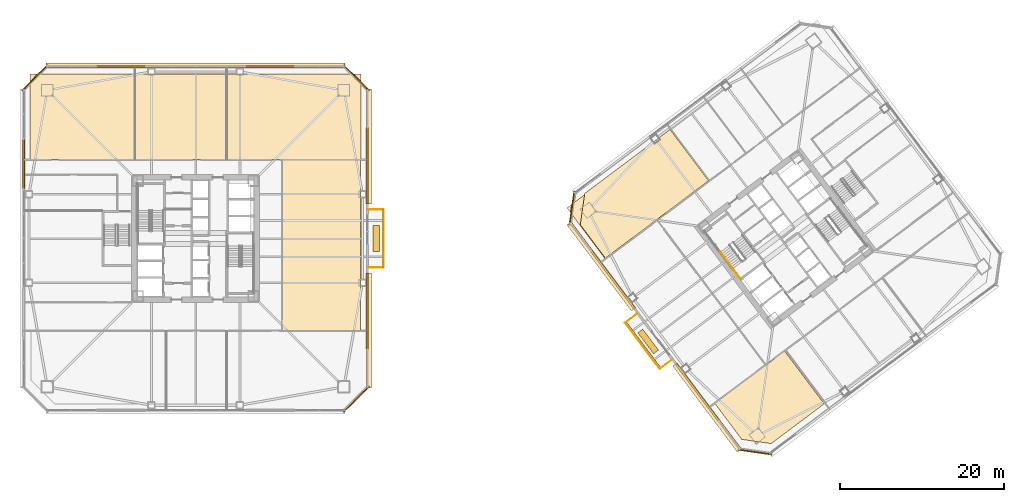
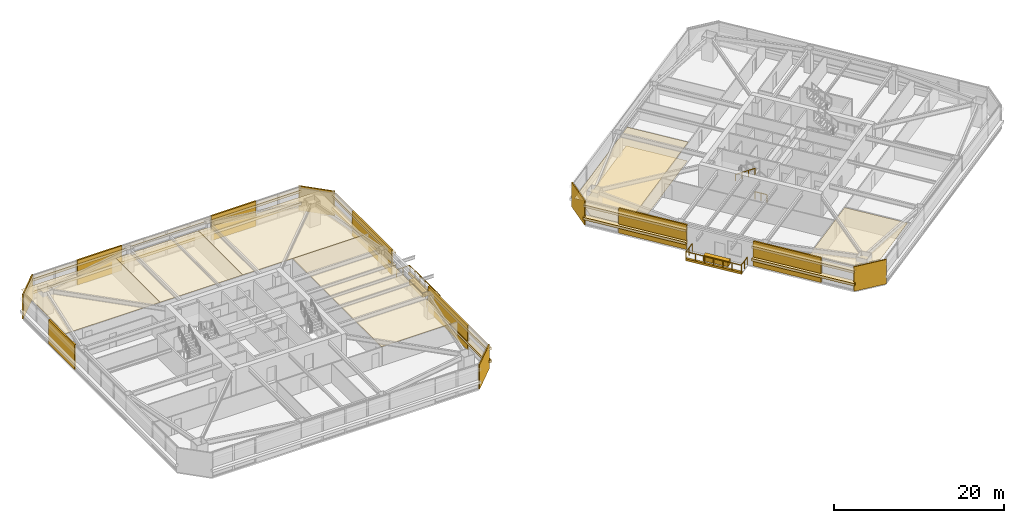
# One storey, part 40 of 44: 33 coverings, 8 railings.
"""IFC4 building model written with IfcOpenShell, lengths in metres."""

from ifc_helpers import new_model, si_unit, direction, frame, origin, origin_2d, place, context, subcontext, project, spatial, polyline, rectangle, outline, extrude, material, layer, layer_set, type_object, element, save


model = new_model("IFC4")

# Units and contexts
model_context = context("Model", 3, precision=1e-05, world=origin(), true_north=direction((0.0, 1.0)))
body_context = subcontext(model_context, "Body", "Model", "MODEL_VIEW")
ifc_project = project(units=[si_unit("LENGTHUNIT", "METRE"), si_unit("AREAUNIT", "SQUARE_METRE"), si_unit("VOLUMEUNIT", "CUBIC_METRE"), si_unit("PLANEANGLEUNIT", "RADIAN"), si_unit("MASSUNIT", "GRAM", prefix="KILO")], contexts=[model_context])

# Site, building, storey
site_placement = place(None, origin())
site = spatial("IfcSite", under=ifc_project, at=site_placement, CompositionType="ELEMENT")
building_placement = place(site_placement, origin())
building = spatial("IfcBuilding", under=site, at=building_placement, Name="Tashvorn Skyway Center", CompositionType="ELEMENT")
storey_placement = place(building_placement, frame((0.0, 0.0, 84.949951171875)))
storey = spatial("IfcBuildingStorey", under=building, at=storey_placement, Name="L22", CompositionType="ELEMENT", Elevation=84.949951171875)

# Coverings
ifc_material_1 = material(Name="Precast concrete C40/50", Category="concrete")
ifc_layer_1 = layer(ifc_material_1, 0.199951171875)
ifc_layer_set_1 = layer_set([ifc_layer_1], Name="Precast concrete C40/50")
covering_type_1 = type_object("IfcCoveringType", Name="COV-BRACE-CLAD", PredefinedType="CLADDING", material=ifc_layer_set_1)
for number, where, z_axis, x_axis, name in (
    (1, (21.02001953125, 41.090087890625, 0.0), (0.0, 0.0, 1.0), (0.0, 1.0, 0.0), "Tower 1 L22 West Unitised Curtain Wall Mega-Brace Cladding Band 2"),
    (2, (32.909912109375, 52.97998046875, 0.0), (0.0, 0.0, 1.0), (1.0, 0.0, 0.0), "Tower 1 L22 North Unitised Curtain Wall Mega-Brace Cladding Band 1"),
    (3, (51.090087890625, 52.97998046875, 0.0), (0.0, 0.0, 1.0), (1.0, 0.0, 0.0), "Tower 1 L22 North Unitised Curtain Wall Mega-Brace Cladding Band 2"),
):
    element("IfcCovering", number, at=place(storey_placement, frame(where, z_axis=z_axis, x_axis=x_axis)), inside=storey, type_object=covering_type_1, Name=name, PredefinedType="CLADDING", context=body_context, shape_type="SweptSolid", body=[
        extrude(rectangle(XDim=6.06005859375, YDim=0.199951171875, at=origin_2d()), origin(), (0.0, 0.0, 1.0), 3.550048828125),
    ])
for number, where, z_axis, x_axis, name in (
    (4, (62.97998046875, 40.893310546875, 0.0), (0.0, 0.0, 1.0), (0.0, -1.0, 0.0), "Tower 1 L22 East Curtain Wall L Mega-Brace Cladding Band 1"),
    (5, (62.97998046875, 23.106689453125, 0.0), (0.0, 0.0, 1.0), (0.0, -1.0, 0.0), "Tower 1 L22 East Curtain Wall R Mega-Brace Cladding Band 1"),
):
    element("IfcCovering", number, at=place(storey_placement, frame(where, z_axis=z_axis, x_axis=x_axis)), inside=storey, type_object=covering_type_1, Name=name, PredefinedType="CLADDING", context=body_context, shape_type="SweptSolid", body=[
        extrude(rectangle(XDim=9.28662109375, YDim=0.199951171875, at=origin_2d()), origin(), (0.0, 0.0, 1.0), 3.550048828125),
    ])
for number, where, z_axis, x_axis, name in (
    (6, (103.251953125, 13.197265625, 0.0), (0.0, 0.0, 1.0), (-0.600000004945, 0.799999996291, 0.0), "Tower 2 L22 West Curtain Wall L Mega-Brace Cladding Band 1"),
    (7, (92.93994140625, 26.946533203125, 0.0), (0.0, 0.0, 1.0), (-0.600000004945, 0.799999996291, 0.0), "Tower 2 L22 West Curtain Wall R Mega-Brace Cladding Band 1"),
):
    element("IfcCovering", number, at=place(storey_placement, frame(where, z_axis=z_axis, x_axis=x_axis)), inside=storey, type_object=covering_type_1, Name=name, PredefinedType="CLADDING", context=body_context, shape_type="SweptSolid", body=[
        extrude(rectangle(XDim=8.6865234375, YDim=0.199951171875, at=origin_2d()), origin(), (0.0, 0.0, 1.0), 3.550048828125),
    ])
ifc_material_2 = material(Name="Mineral-fibre acoustic ceiling tile on suspended grid")
ifc_layer_2 = layer(ifc_material_2, 0.02001953125)
ifc_layer_set_2 = layer_set([ifc_layer_2], Name="Mineral-fibre acoustic ceiling tile on suspended grid")
covering_type_2 = type_object("IfcCoveringType", Name="COV-CEIL-20", PredefinedType="CEILING", material=ifc_layer_set_2)
covering_1_placement = place(storey_placement, frame((0.0, 0.0, 2.68310546875)))
element("IfcCovering", 8, at=covering_1_placement, inside=storey, type_object=covering_type_2, Name="Tower 1 L22 Open Plan Office Acoustic Ceiling", PredefinedType="CEILING", context=body_context, shape_type="SweptSolid", body=[
    extrude(outline(polyline([(21.800048828125, 41.6201171875), (34.60009765625, 41.6201171875), (34.60009765625, 52.10009765625), (21.800048828125, 52.10009765625), (21.800048828125, 41.6201171875)])), origin(), (0.0, 0.0, 1.0), 0.02001953125),
])
covering_2_placement = place(storey_placement, frame((0.0, 0.0, 2.68310546875)))
element("IfcCovering", 9, at=covering_2_placement, inside=storey, type_object=covering_type_2, Name="Tower 1 L22 Open Plan Office Acoustic Ceiling", PredefinedType="CEILING", context=body_context, shape_type="SweptSolid", body=[
    extrude(outline(polyline([(34.60009765625, 41.6201171875), (45.800048828125, 41.6201171875), (45.800048828125, 52.10009765625), (34.60009765625, 52.10009765625), (34.60009765625, 41.6201171875)])), origin(), (0.0, 0.0, 1.0), 0.02001953125),
])
covering_3_placement = place(storey_placement, frame((0.0, 0.0, 2.68310546875)))
element("IfcCovering", 10, at=covering_3_placement, inside=storey, type_object=covering_type_2, Name="Tower 1 L22 Design Studio Acoustic Ceiling", PredefinedType="CEILING", context=body_context, shape_type="SweptSolid", body=[
    extrude(outline(polyline([(45.800048828125, 41.6201171875), (62.199951171875, 41.6201171875), (62.199951171875, 52.10009765625), (45.800048828125, 52.10009765625), (45.800048828125, 41.6201171875)])), origin(), (0.0, 0.0, 1.0), 0.02001953125),
])
covering_4_placement = place(storey_placement, frame((0.0, 0.0, 2.68310546875)))
element("IfcCovering", 11, at=covering_4_placement, inside=storey, type_object=covering_type_2, Name="Tower 1 L22 Executive Study Lounge Acoustic Ceiling", PredefinedType="CEILING", context=body_context, shape_type="SweptSolid", body=[
    extrude(outline(polyline([(52.550048828125, 20.75), (62.10009765625, 20.75), (62.10009765625, 41.6201171875), (52.550048828125, 41.6201171875), (52.550048828125, 20.75)])), origin(), (0.0, 0.0, 1.0), 0.02001953125),
])
covering_5_placement = place(storey_placement, frame((0.0, 0.0, 2.68310546875)))
element("IfcCovering", 12, at=covering_5_placement, inside=storey, type_object=covering_type_2, Name="Tower 2 L22 Research Library Acoustic Ceiling", PredefinedType="CEILING", context=body_context, shape_type="SweptSolid", body=[
    extrude(outline(polyline([(92.0, 29.5), (104.719970703125, 39.0400390625), (100.0400390625, 45.280029296875), (87.320068359375, 35.739990234375), (92.0, 29.5)])), origin(), (0.0, 0.0, 1.0), 0.02001953125),
])
covering_6_placement = place(storey_placement, frame((0.0, 0.0, 2.68310546875)))
element("IfcCovering", 13, at=covering_6_placement, inside=storey, type_object=covering_type_2, Name="Tower 2 L22 Research Library Acoustic Ceiling", PredefinedType="CEILING", context=body_context, shape_type="SweptSolid", body=[
    extrude(outline(polyline([(105.3798828125, 11.860107421875), (113.907958984375, 18.256103515625), (118.73193359375, 11.823974609375), (112.251953125, 6.964111328125), (108.66796875, 7.47607421875), (105.3798828125, 11.860107421875)])), origin(), (0.0, 0.0, 1.0), 0.02001953125),
])
ifc_material_3 = material(Name="Polished Mojave desert-aggregate terrazzo and cover plate")
ifc_layer_3 = layer(ifc_material_3, 0.0400390625)
ifc_layer_set_3 = layer_set([ifc_layer_3], Name="Polished Mojave desert-aggregate terrazzo and cover plate")
covering_type_3 = type_object("IfcCoveringType", Name="COV-FLR-40", PredefinedType="FLOORING", material=ifc_layer_set_3)
covering_7_placement = place(storey_placement, origin())
element("IfcCovering", 14, at=covering_7_placement, inside=storey, type_object=covering_type_3, Name="Tower 2 L22 Research Library Finish Flooring", PredefinedType="FLOORING", context=body_context, shape_type="SweptSolid", body=[
    extrude(outline(polyline([(104.60791015625, 39.055908203125), (92.01611328125, 29.612060546875), (88.9560546875, 33.69189453125), (89.5, 37.5), (99.916015625, 45.31201171875), (104.60791015625, 39.055908203125)])), origin(), (0.0, 0.0, 1.0), 0.0400390625),
])
ifc_material_4 = material(Name="Perforated ceramic-coated bronze aluminium solar screen", Category="aluminium")
ifc_layer_4 = layer(ifc_material_4, 0.85009765625)
ifc_layer_set_4 = layer_set([ifc_layer_4], Name="Perforated ceramic-coated bronze aluminium solar screen")
covering_type_4 = type_object("IfcCoveringType", Name="COV-SOLAR-BAND", PredefinedType="CLADDING", material=ifc_layer_set_4)
for number, where, z_axis, x_axis, name in (
    (15, (42.0, 53.1201171875, 0.919921875), (0.0, 0.0, 1.0), (1.0, 0.0, 0.0), "L22 Perforated Ceramic-Metal Solar Screen Louvre Band North 1"),
    (16, (42.0, 53.1201171875, 2.72021484375), (0.0, 0.0, 1.0), (1.0, 0.0, 0.0), "L22 Perforated Ceramic-Metal Solar Screen Louvre Band North 2"),
):
    element("IfcCovering", number, at=place(storey_placement, frame(where, z_axis=z_axis, x_axis=x_axis)), inside=storey, type_object=covering_type_4, Name=name, PredefinedType="CLADDING", context=body_context, shape_type="SweptSolid", body=[
        extrude(rectangle(XDim=36.47998046875, YDim=0.639892578125, at=origin_2d()), origin(), (0.0, 0.0, 1.0), 0.360107421875),
    ])
for number, where, z_axis, x_axis, name in (
    (17, (63.1201171875, 43.215087890625, 0.919921875), (0.0, 0.0, 1.0), (0.0, -1.0, 0.0), "L22 Perforated Ceramic-Metal Solar Screen Louvre Band East 1"),
    (18, (63.1201171875, 43.215087890625, 2.72021484375), (0.0, 0.0, 1.0), (0.0, -1.0, 0.0), "L22 Perforated Ceramic-Metal Solar Screen Louvre Band East 2"),
    (19, (63.1201171875, 20.784912109375, 0.919921875), (0.0, 0.0, 1.0), (0.0, -1.0, 0.0), "L22 Perforated Ceramic-Metal Solar Screen Louvre Band East 1"),
    (20, (63.1201171875, 20.784912109375, 2.72021484375), (0.0, 0.0, 1.0), (0.0, -1.0, 0.0), "L22 Perforated Ceramic-Metal Solar Screen Louvre Band East 2"),
):
    element("IfcCovering", number, at=place(storey_placement, frame(where, z_axis=z_axis, x_axis=x_axis)), inside=storey, type_object=covering_type_4, Name=name, PredefinedType="CLADDING", context=body_context, shape_type="SweptSolid", body=[
        extrude(rectangle(XDim=14.050048828125, YDim=0.639892578125, at=origin_2d()), origin(), (0.0, 0.0, 1.0), 0.360107421875),
    ])
for number, where, z_axis, x_axis, name in (
    (21, (104.443115234375, 11.3759765625, 0.919921875), (0.0, 0.0, 1.0), (-0.600000004945, 0.799999996291, 0.0), "L22 Perforated Ceramic-Metal Solar Screen Louvre Band West 1"),
    (22, (104.443115234375, 11.3759765625, 2.72021484375), (0.0, 0.0, 1.0), (-0.600000004945, 0.799999996291, 0.0), "L22 Perforated Ceramic-Metal Solar Screen Louvre Band West 2"),
    (23, (91.52490234375, 28.60009765625, 0.919921875), (0.0, 0.0, 1.0), (-0.600000004945, 0.799999996291, 0.0), "L22 Perforated Ceramic-Metal Solar Screen Louvre Band West 1"),
    (24, (91.52490234375, 28.60009765625, 2.72021484375), (0.0, 0.0, 1.0), (-0.600000004945, 0.799999996291, 0.0), "L22 Perforated Ceramic-Metal Solar Screen Louvre Band West 2"),
):
    element("IfcCovering", number, at=place(storey_placement, frame(where, z_axis=z_axis, x_axis=x_axis)), inside=storey, type_object=covering_type_4, Name=name, PredefinedType="CLADDING", context=body_context, shape_type="SweptSolid", body=[
        extrude(rectangle(XDim=13.14990234375, YDim=0.639892578125, at=origin_2d()), origin(), (0.0, 0.0, 1.0), 0.360107421875),
    ])
ifc_layer_5 = layer(ifc_material_1, 0.35009765625)
ifc_layer_set_5 = layer_set([ifc_layer_5], Name="Precast concrete C40/50")
covering_type_5 = type_object("IfcCoveringType", Name="COV-STONE-TRIM", PredefinedType="CLADDING", material=ifc_layer_set_5)
covering_8_placement = place(storey_placement, frame((64.860107421875, 32.0, -0.16015625), z_axis=(0.0, 0.0, 1.0), x_axis=(0.0, -1.0, 0.0)))
element("IfcCovering", 25, at=covering_8_placement, inside=storey, type_object=covering_type_5, Name="Tower 1 L22 Spiral Terrace Terracotta Fascia", PredefinedType="CLADDING", context=body_context, shape_type="SweptSolid", body=[
    extrude(rectangle(XDim=7.199951171875, YDim=0.280029296875, at=origin_2d()), origin(), (0.0, 0.0, 1.0), 0.280029296875),
])
covering_9_placement = place(storey_placement, frame((64.050048828125, 32.0, 0.0), z_axis=(0.0, 0.0, 1.0), x_axis=(0.0, -1.0, 0.0)))
element("IfcCovering", 26, at=covering_9_placement, inside=storey, type_object=covering_type_5, Name="Tower 1 L22 Spiral Terrace Planter", PredefinedType="CLADDING", context=body_context, shape_type="SweptSolid", body=[
    extrude(rectangle(XDim=3.199951171875, YDim=0.75, at=origin_2d()), origin(), (0.0, 0.0, 1.0), 0.679931640625),
])
for number, where, z_axis, x_axis, name in (
    (27, (22.3798828125, 51.6201171875, 0.02001953125), (0.0, 0.0, 1.0), (-0.707106781187, -0.707106781187, 0.0), "Tower 1 L22 NW Mojave Limestone Corner Quoin"),
    (28, (61.6201171875, 51.6201171875, 0.02001953125), (0.0, 0.0, 1.0), (0.707106781187, -0.707106781187, 0.0), "Tower 1 L22 NE Mojave Limestone Corner Quoin"),
    (29, (61.6201171875, 12.3798828125, 0.02001953125), (0.0, 0.0, 1.0), (0.707106781187, 0.707106781187, 0.0), "Tower 1 L22 SE Mojave Limestone Corner Quoin"),
):
    element("IfcCovering", number, at=place(storey_placement, frame(where, z_axis=z_axis, x_axis=x_axis)), inside=storey, type_object=covering_type_5, Name=name, PredefinedType="CLADDING", context=body_context, shape_type="SweptSolid", body=[
        extrude(rectangle(XDim=4.402587890625, YDim=0.139892578125, at=origin_2d()), origin(), (0.0, 0.0, 1.0), 3.510009765625),
    ])
covering_10_placement = place(storey_placement, frame((96.592041015625, 18.944091796875, -0.16015625), z_axis=(0.0, 0.0, 1.0), x_axis=(-0.600000004945, 0.799999996291, 0.0)))
element("IfcCovering", 30, at=covering_10_placement, inside=storey, type_object=covering_type_5, Name="Tower 2 L22 Spiral Terrace Terracotta Fascia", PredefinedType="CLADDING", context=body_context, shape_type="SweptSolid", body=[
    extrude(rectangle(XDim=7.199951171875, YDim=0.280029296875, at=origin_2d()), origin(), (0.0, 0.0, 1.0), 0.280029296875),
])
covering_11_placement = place(storey_placement, frame((97.239990234375, 19.429931640625, 0.0), z_axis=(0.0, 0.0, 1.0), x_axis=(-0.600000004945, 0.799999996291, 0.0)))
element("IfcCovering", 31, at=covering_11_placement, inside=storey, type_object=covering_type_5, Name="Tower 2 L22 Spiral Terrace Planter", PredefinedType="CLADDING", context=body_context, shape_type="SweptSolid", body=[
    extrude(rectangle(XDim=3.199951171875, YDim=0.75, at=origin_2d()), origin(), (0.0, 0.0, 1.0), 0.679931640625),
])
for number, where, z_axis, x_axis, name in (
    (32, (110.27587890625, 5.931884765625, 0.02001953125), (0.0, 0.0, 1.0), (-0.989949494535, 0.141421350118, 0.0), "Tower 2 L22 SW Mojave Limestone Corner Quoin"),
    (33, (87.931884765625, 35.72412109375, 0.02001953125), (0.0, 0.0, 1.0), (-0.141421350118, -0.989949494535, 0.0), "Tower 2 L22 NW Mojave Limestone Corner Quoin"),
):
    element("IfcCovering", number, at=place(storey_placement, frame(where, z_axis=z_axis, x_axis=x_axis)), inside=storey, type_object=covering_type_5, Name=name, PredefinedType="CLADDING", context=body_context, shape_type="SweptSolid", body=[
        extrude(rectangle(XDim=4.119873046875, YDim=0.139892578125, at=origin_2d()), origin(), (0.0, 0.0, 1.0), 3.510009765625),
    ])

# Railings
ifc_material_5 = material(Name="Galvanized steel S355", Category="steel")
railing_type_1 = type_object("IfcRailingType", Name="RAIL-GUARD-1120", PredefinedType="GUARDRAIL", material=ifc_material_5)
railing_1_placement = place(storey_placement, frame((63.10009765625, 28.47998046875, 0.0)))
element("IfcRailing", 34, at=railing_1_placement, inside=storey, type_object=railing_type_1, Name="L22 Tower 1 Terrace Guardrail 01", PredefinedType="GUARDRAIL", context=body_context, shape_type="SweptSolid", body=[
    extrude(rectangle(XDim=0.048095703125, YDim=0.048095703125, at=origin_2d()), frame((0.0, 0.0, 1.09619140625), z_axis=(1.0, 0.0, 0.0), x_axis=(0.0, 1.0, 0.0)), (0.0, 0.0, 1.0), 1.81982421875),
    extrude(rectangle(XDim=0.0419921875, YDim=0.0419921875, at=origin_2d()), origin(), (0.0, 0.0, 1.0), 1.072021484375),
    extrude(rectangle(XDim=0.0419921875, YDim=0.0419921875, at=origin_2d()), frame((0.909912109375, 0.0, 0.0)), (0.0, 0.0, 1.0), 1.072021484375),
    extrude(rectangle(XDim=0.0419921875, YDim=0.0419921875, at=origin_2d()), frame((1.81982421875, 0.0, 0.0)), (0.0, 0.0, 1.0), 1.072021484375),
])
railing_2_placement = place(storey_placement, frame((64.919921875, 28.47998046875, 0.0)))
element("IfcRailing", 35, at=railing_2_placement, inside=storey, type_object=railing_type_1, Name="L22 Tower 1 Terrace Guardrail 02", PredefinedType="GUARDRAIL", context=body_context, shape_type="SweptSolid", body=[
    extrude(rectangle(XDim=0.048095703125, YDim=0.048095703125, at=origin_2d()), frame((0.0, 0.0, 1.09619140625), z_axis=(0.0, 1.0, 0.0), x_axis=(-1.0, 0.0, 0.0)), (0.0, 0.0, 1.0), 7.0400390625),
    extrude(rectangle(XDim=0.0419921875, YDim=0.0419921875, at=origin_2d()), origin(), (0.0, 0.0, 1.0), 1.072021484375),
    extrude(rectangle(XDim=0.0419921875, YDim=0.0419921875, at=origin_2d()), frame((0.0, 1.17333984375, 0.0)), (0.0, 0.0, 1.0), 1.072021484375),
    extrude(rectangle(XDim=0.0419921875, YDim=0.0419921875, at=origin_2d()), frame((0.0, 2.3466796875, 0.0)), (0.0, 0.0, 1.0), 1.072021484375),
    extrude(rectangle(XDim=0.0419921875, YDim=0.0419921875, at=origin_2d()), frame((0.0, 3.52001953125, 0.0)), (0.0, 0.0, 1.0), 1.072021484375),
    extrude(rectangle(XDim=0.0419921875, YDim=0.0419921875, at=origin_2d()), frame((0.0, 4.693359375, 0.0)), (0.0, 0.0, 1.0), 1.072021484375),
    extrude(rectangle(XDim=0.0419921875, YDim=0.0419921875, at=origin_2d()), frame((0.0, 5.86669921875, 0.0)), (0.0, 0.0, 1.0), 1.072021484375),
    extrude(rectangle(XDim=0.0419921875, YDim=0.0419921875, at=origin_2d()), frame((0.0, 7.0400390625, 0.0)), (0.0, 0.0, 1.0), 1.072021484375),
])
railing_3_placement = place(storey_placement, frame((64.919921875, 35.52001953125, 0.0)))
element("IfcRailing", 36, at=railing_3_placement, inside=storey, type_object=railing_type_1, Name="L22 Tower 1 Terrace Guardrail 03", PredefinedType="GUARDRAIL", context=body_context, shape_type="SweptSolid", body=[
    extrude(rectangle(XDim=0.048095703125, YDim=0.048095703125, at=origin_2d()), frame((0.0, 0.0, 1.09619140625), z_axis=(-1.0, 0.0, 0.0), x_axis=(0.0, -1.0, 0.0)), (0.0, 0.0, 1.0), 1.81982421875),
    extrude(rectangle(XDim=0.0419921875, YDim=0.0419921875, at=origin_2d()), origin(), (0.0, 0.0, 1.0), 1.072021484375),
    extrude(rectangle(XDim=0.0419921875, YDim=0.0419921875, at=origin_2d()), frame((-0.909912109375, 0.0, 0.0)), (0.0, 0.0, 1.0), 1.072021484375),
    extrude(rectangle(XDim=0.0419921875, YDim=0.0419921875, at=origin_2d()), frame((-1.81982421875, 0.0, 0.0)), (0.0, 0.0, 1.0), 1.072021484375),
])
railing_4_placement = place(storey_placement, frame((100.112060546875, 17.18408203125, 0.0)))
element("IfcRailing", 37, at=railing_4_placement, inside=storey, type_object=railing_type_1, Name="L22 Tower 2 Terrace Guardrail 01", PredefinedType="GUARDRAIL", context=body_context, shape_type="SweptSolid", body=[
    extrude(rectangle(XDim=0.048095703125, YDim=0.048095703125, at=origin_2d()), frame((0.0, 0.0, 1.09619140625), z_axis=(-0.8, -0.6, 0.0), x_axis=(0.6, -0.8, 0.0)), (0.0, 0.0, 1.0), 1.820068359375),
    extrude(rectangle(XDim=0.0419921875, YDim=0.0419921875, at=origin_2d()), origin(), (0.0, 0.0, 1.0), 1.072021484375),
    extrude(rectangle(XDim=0.0419921875, YDim=0.0419921875, at=origin_2d()), frame((-0.72802734375, -0.5458984375, 0.0)), (0.0, 0.0, 1.0), 1.072021484375),
    extrude(rectangle(XDim=0.0419921875, YDim=0.0419921875, at=origin_2d()), frame((-1.4560546875, -1.092041015625, 0.0)), (0.0, 0.0, 1.0), 1.072021484375),
])
railing_5_placement = place(storey_placement, frame((98.656005859375, 16.092041015625, 0.0)))
element("IfcRailing", 38, at=railing_5_placement, inside=storey, type_object=railing_type_1, Name="L22 Tower 2 Terrace Guardrail 02", PredefinedType="GUARDRAIL", context=body_context, shape_type="SweptSolid", body=[
    extrude(rectangle(XDim=0.048095703125, YDim=0.048095703125, at=origin_2d()), frame((0.0, 0.0, 1.09619140625), z_axis=(-0.600005548528, 0.799995838574, 0.0), x_axis=(-0.799995838574, -0.600005548528, 0.0)), (0.0, 0.0, 1.0), 7.0400390625),
    extrude(rectangle(XDim=0.0419921875, YDim=0.0419921875, at=origin_2d()), origin(), (0.0, 0.0, 1.0), 1.072021484375),
    extrude(rectangle(XDim=0.0419921875, YDim=0.0419921875, at=origin_2d()), frame((-0.7041015625, 0.938720703125, 0.0)), (0.0, 0.0, 1.0), 1.072021484375),
    extrude(rectangle(XDim=0.0419921875, YDim=0.0419921875, at=origin_2d()), frame((-1.407958984375, 1.87744140625, 0.0)), (0.0, 0.0, 1.0), 1.072021484375),
    extrude(rectangle(XDim=0.0419921875, YDim=0.0419921875, at=origin_2d()), frame((-2.112060546875, 2.81591796875, 0.0)), (0.0, 0.0, 1.0), 1.072021484375),
    extrude(rectangle(XDim=0.0419921875, YDim=0.0419921875, at=origin_2d()), frame((-2.816162109375, 3.754638671875, 0.0)), (0.0, 0.0, 1.0), 1.072021484375),
    extrude(rectangle(XDim=0.0419921875, YDim=0.0419921875, at=origin_2d()), frame((-3.52001953125, 4.693359375, 0.0)), (0.0, 0.0, 1.0), 1.072021484375),
    extrude(rectangle(XDim=0.0419921875, YDim=0.0419921875, at=origin_2d()), frame((-4.22412109375, 5.632080078125, 0.0)), (0.0, 0.0, 1.0), 1.072021484375),
])
railing_6_placement = place(storey_placement, frame((94.431884765625, 21.72412109375, 0.0)))
element("IfcRailing", 39, at=railing_6_placement, inside=storey, type_object=railing_type_1, Name="L22 Tower 2 Terrace Guardrail 03", PredefinedType="GUARDRAIL", context=body_context, shape_type="SweptSolid", body=[
    extrude(rectangle(XDim=0.048095703125, YDim=0.048095703125, at=origin_2d()), frame((0.0, 0.0, 1.09619140625), z_axis=(0.800064386893, 0.599914141212, 0.0), x_axis=(-0.599914141212, 0.800064386893, 0.0)), (0.0, 0.0, 1.0), 1.81982421875),
    extrude(rectangle(XDim=0.0419921875, YDim=0.0419921875, at=origin_2d()), origin(), (0.0, 0.0, 1.0), 1.072021484375),
    extrude(rectangle(XDim=0.0419921875, YDim=0.0419921875, at=origin_2d()), frame((0.72802734375, 0.5458984375, 0.0)), (0.0, 0.0, 1.0), 1.072021484375),
    extrude(rectangle(XDim=0.0419921875, YDim=0.0419921875, at=origin_2d()), frame((1.4560546875, 1.091796875, 0.0)), (0.0, 0.0, 1.0), 1.072021484375),
])
ifc_material_6 = material(Name="Brushed stainless steel 316", Category="steel")
railing_type_2 = type_object("IfcRailingType", Name="RAIL-HAND-920", PredefinedType="HANDRAIL", material=ifc_material_6)
railing_7_placement = place(storey_placement, frame((106.072021484375, 30.35400390625, 1.95263671875)))
element("IfcRailing", 40, at=railing_7_placement, inside=storey, type_object=railing_type_2, Name="L22 ST-T2-1 stair handrail 2", PredefinedType="HANDRAIL", context=body_context, shape_type="SweptSolid", body=[
    extrude(rectangle(XDim=0.048095703125, YDim=0.048095703125, at=origin_2d()), frame((0.0, 0.0, 0.8759765625), z_axis=(0.506740800098, -0.675708949977, 0.535379469569), x_axis=(0.800023250257, 0.599968998406, 0.0)), (0.0, 0.0, 1.0), 2.983642578125),
    extrude(rectangle(XDim=0.0419921875, YDim=0.0419921875, at=origin_2d()), origin(), (0.0, 0.0, 1.0), 0.851806640625),
    extrude(rectangle(XDim=0.0419921875, YDim=0.0419921875, at=origin_2d()), frame((0.50390625, -0.672119140625, 0.532470703125)), (0.0, 0.0, 1.0), 0.851806640625),
    extrude(rectangle(XDim=0.0419921875, YDim=0.0419921875, at=origin_2d()), frame((1.008056640625, -1.343994140625, 1.06494140625)), (0.0, 0.0, 1.0), 0.851806640625),
    extrude(rectangle(XDim=0.0419921875, YDim=0.0419921875, at=origin_2d()), frame((1.511962890625, -2.01611328125, 1.597412109375)), (0.0, 0.0, 1.0), 0.851806640625),
])
ifc_material_7 = material(Name="Painted galvanized steel S355", Category="steel")
railing_type_3 = type_object("IfcRailingType", Name="RAIL-STGUARD-1100", PredefinedType="GUARDRAIL", material=ifc_material_7)
railing_8_placement = place(storey_placement, frame((108.49609375, 27.1220703125, 0.0)))
element("IfcRailing", 41, at=railing_8_placement, inside=storey, type_object=railing_type_3, Name="L22 ST-T2-1 stair guard 6", PredefinedType="GUARDRAIL", context=body_context, shape_type="SweptSolid", body=[
    extrude(rectangle(XDim=0.048095703125, YDim=0.048095703125, at=origin_2d()), frame((0.0, 0.0, 1.076171875), z_axis=(-0.600102796382, 0.799922892393, 0.0), x_axis=(-0.799922892393, -0.600102796382, 0.0)), (0.0, 0.0, 1.0), 1.52001953125),
    extrude(rectangle(XDim=0.0419921875, YDim=0.0419921875, at=origin_2d()), origin(), (0.0, 0.0, 1.0), 1.052001953125),
    extrude(rectangle(XDim=0.0419921875, YDim=0.0419921875, at=origin_2d()), frame((-0.4560546875, 0.60791015625, 0.0)), (0.0, 0.0, 1.0), 1.052001953125),
    extrude(rectangle(XDim=0.0419921875, YDim=0.0419921875, at=origin_2d()), frame((-0.912109375, 1.2158203125, 0.0)), (0.0, 0.0, 1.0), 1.052001953125),
])

save(model, "model.ifc")
